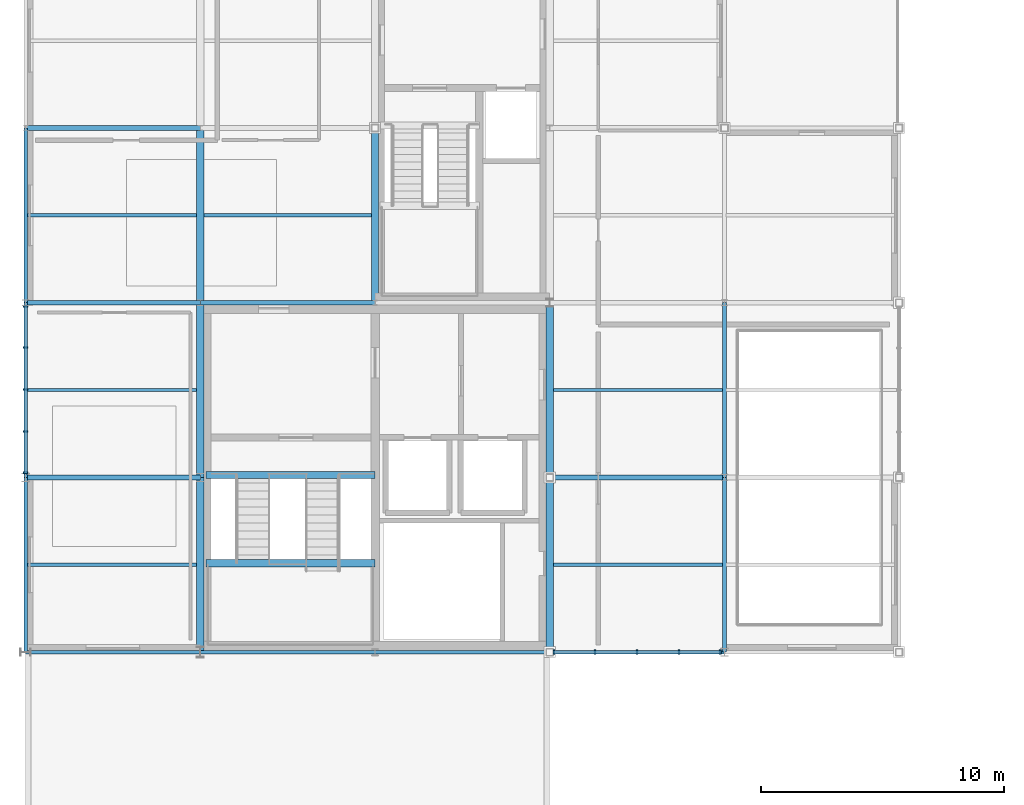
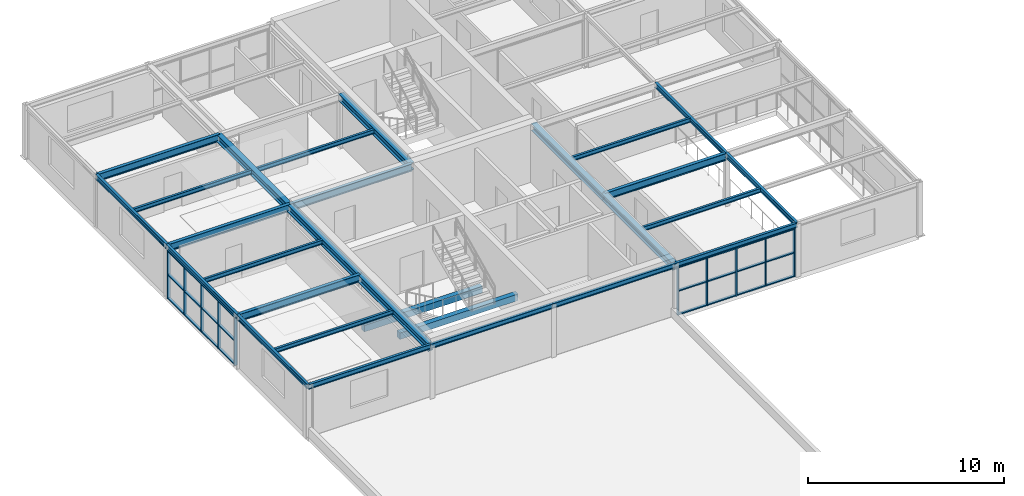
# One storey, part 7 of 22: 28 beams, 16 members, 2 elements without a shape of their own.
"""IFC4 building model written with IfcOpenShell, lengths in metres."""

from ifc_helpers import new_model, si_unit, direction, frame, origin, origin_2d, place, context, subcontext, project, spatial, rectangle, i_section, extrude, material, material_profile, profile_set, type_object, element, aggregate, save


model = new_model("IFC4")

# Units and contexts
model_context = context("Model", 3, precision=1e-05, world=origin(), true_north=direction((0.0, 1.0)))
body_context = subcontext(model_context, "Body", "Model", "MODEL_VIEW")
ifc_project = project(units=[si_unit("LENGTHUNIT", "METRE"), si_unit("AREAUNIT", "SQUARE_METRE"), si_unit("VOLUMEUNIT", "CUBIC_METRE"), si_unit("PLANEANGLEUNIT", "RADIAN"), si_unit("MASSUNIT", "GRAM", prefix="KILO")], contexts=[model_context])

# Site, building, storey
site_placement = place(None, origin())
site = spatial("IfcSite", under=ifc_project, at=site_placement, CompositionType="ELEMENT")
building_placement = place(site_placement, origin())
building = spatial("IfcBuilding", under=site, at=building_placement, Name="Leyfeld Transit Interchange", CompositionType="ELEMENT")
storey_placement = place(building_placement, frame((0.0, 0.0, 18.0)))
storey = spatial("IfcBuildingStorey", under=building, at=storey_placement, Name="L04", CompositionType="ELEMENT", Elevation=18.0)

# Beams
ifc_material_1 = material(Name="Concrete C35/45", Category="concrete")
ifc_material_profile_1 = material_profile(ifc_material_1, rectangle(XDim=0.300048828125, YDim=0.39990234375, at=origin_2d()), Name="RC 400x300")
ifc_profile_set_1 = profile_set([ifc_material_profile_1], Name="Concrete C35/45")
beam_type_1 = type_object("IfcBeamType", Name="BM-RC-400x300", PredefinedType="LINTEL", material=ifc_profile_set_1)
for number, where, z_axis, x_axis, name in (
    (1, (7.425048828125, 100.89990234375, -0.199951171875), (1.0, 0.0, 0.0), (0.0, 1.0, 0.0), "Core K1 Floor Landing Corbel L04"),
    (2, (7.425048828125, 97.27001953125, 1.528076171875), (1.0, 0.0, 0.0), (0.0, 1.0, 0.0), "Stair ST-01 L04 Half-Landing Corbel"),
):
    element("IfcBeam", number, at=place(storey_placement, frame(where, z_axis=z_axis, x_axis=x_axis)), inside=storey, type_object=beam_type_1, Name=name, PredefinedType="LINTEL", context=body_context, shape_type="SweptSolid", body=[
        extrude(rectangle(XDim=0.300048828125, YDim=0.39990234375, at=origin_2d()), origin(), (0.0, 0.0, 1.0), 6.974853515625),
    ])
ifc_material_2 = material(Name="Steel S355J2", Category="steel")
ifc_material_profile_2 = material_profile(ifc_material_2, i_section(OverallWidth=0.300048828125, OverallDepth=0.449951171875, WebThickness=0.013916015625, FlangeThickness=0.02587890625, FilletRadius=0.027099609375, at=origin_2d()), Name="HEB 450")
ifc_profile_set_2 = profile_set([ifc_material_profile_2], Name="Steel S355J2")
beam_type_2 = type_object("IfcBeamType", Name="BM-STL-HEB450", PredefinedType="JOIST", material=ifc_profile_set_2)
for number, where, z_axis, x_axis, name in (
    (3, (7.199951171875, 93.60009765625, 3.074951171875), (0.0, 1.0, 0.0), (-1.0, 0.0, 0.0), "Beam BM-L04-0072_0936-0072_1008"),
    (4, (7.199951171875, 100.800048828125, 3.074951171875), (0.0, 1.0, 0.0), (-1.0, 0.0, 0.0), "Beam BM-L04-0072_1008-0072_1080"),
    (5, (7.199951171875, 108.0, 3.074951171875), (0.0, 1.0, 0.0), (-1.0, 0.0, 0.0), "Beam BM-L04-0072_1080-0072_1152"),
    (6, (14.39990234375, 108.0, 3.074951171875), (0.0, 1.0, 0.0), (-1.0, 0.0, 0.0), "Beam BM-L04-0144_1080-0144_1152"),
    (7, (21.60009765625, 93.60009765625, 3.074951171875), (0.0, 1.0, 0.0), (-1.0, 0.0, 0.0), "Beam BM-L04-0216_0936-0216_1008"),
    (8, (21.60009765625, 100.800048828125, 3.074951171875), (0.0, 1.0, 0.0), (-1.0, 0.0, 0.0), "Beam BM-L04-0216_1008-0216_1080"),
):
    element("IfcBeam", number, at=place(storey_placement, frame(where, z_axis=z_axis, x_axis=x_axis)), inside=storey, type_object=beam_type_2, Name=name, PredefinedType="JOIST", context=body_context, shape_type="SweptSolid", body=[
        extrude(i_section(OverallWidth=0.300048828125, OverallDepth=0.449951171875, WebThickness=0.013916015625, FlangeThickness=0.02587890625, FilletRadius=0.027099609375, at=origin_2d()), origin(), (0.0, 0.0, 1.0), 7.199951171875),
    ])
ifc_material_profile_3 = material_profile(ifc_material_2, i_section(OverallWidth=0.135009765625, OverallDepth=0.27001953125, WebThickness=0.006591796875, FlangeThickness=0.01025390625, FilletRadius=0.014892578125, at=origin_2d()), Name="IPE 270")
ifc_profile_set_3 = profile_set([ifc_material_profile_3], Name="Steel S355J2")
beam_type_3 = type_object("IfcBeamType", Name="BM-STL-IPE270", PredefinedType="BEAM", material=ifc_profile_set_3)
for number, where, z_axis, x_axis, name in (
    (9, (0.072021484375, 97.199951171875, 3.1650390625), (1.0, 0.0, 0.0), (0.0, 1.0, 0.0), "Beam BM-L04-0001_0972-0071_0972"),
    (10, (21.7470703125, 97.199951171875, 3.1650390625), (1.0, 0.0, 0.0), (0.0, 1.0, 0.0), "Beam BM-L04-0217_0972-0287_0972"),
    (11, (0.072021484375, 104.39990234375, 3.1650390625), (1.0, 0.0, 0.0), (0.0, 1.0, 0.0), "Beam BM-L04-0001_1044-0071_1044"),
    (12, (21.7470703125, 104.39990234375, 3.1650390625), (1.0, 0.0, 0.0), (0.0, 1.0, 0.0), "Beam BM-L04-0217_1044-0287_1044"),
    (13, (0.072021484375, 111.60009765625, 3.1650390625), (1.0, 0.0, 0.0), (0.0, 1.0, 0.0), "Beam BM-L04-0001_1116-0071_1116"),
):
    element("IfcBeam", number, at=place(storey_placement, frame(where, z_axis=z_axis, x_axis=x_axis)), inside=storey, type_object=beam_type_3, Name=name, PredefinedType="BEAM", context=body_context, shape_type="SweptSolid", body=[
        extrude(i_section(OverallWidth=0.135009765625, OverallDepth=0.27001953125, WebThickness=0.006591796875, FlangeThickness=0.01025390625, FilletRadius=0.014892578125, at=origin_2d()), origin(), (0.0, 0.0, 1.0), 6.98095703125),
    ])
beam_1_placement = place(storey_placement, frame((7.346923828125, 111.60009765625, 3.1650390625), z_axis=(1.0, 0.0, 0.0), x_axis=(0.0, 1.0, 0.0)))
element("IfcBeam", 14, at=beam_1_placement, inside=storey, type_object=beam_type_3, Name="Beam BM-L04-0073_1116-0143_1116", PredefinedType="BEAM", context=body_context, shape_type="SweptSolid", body=[
    extrude(i_section(OverallWidth=0.135009765625, OverallDepth=0.27001953125, WebThickness=0.006591796875, FlangeThickness=0.01025390625, FilletRadius=0.014892578125, at=origin_2d()), origin(), (0.0, 0.0, 1.0), 6.906005859375),
])
ifc_material_profile_4 = material_profile(ifc_material_2, i_section(OverallWidth=0.14990234375, OverallDepth=0.300048828125, WebThickness=0.007080078125, FlangeThickness=0.0107421875, FilletRadius=0.014892578125, at=origin_2d()), Name="IPE 300")
ifc_profile_set_4 = profile_set([ifc_material_profile_4], Name="Steel S355J2")
beam_type_4 = type_object("IfcBeamType", Name="BM-STL-IPE300", PredefinedType="SPANDREL", material=ifc_profile_set_4)
for number, where, z_axis, x_axis, name in (
    (15, (0.0, 93.60009765625, 3.14990234375), (0.0, 1.0, 0.0), (-1.0, 0.0, 0.0), "Beam BM-L04-0000_0936-0000_1008"),
    (16, (0.0, 100.800048828125, 3.14990234375), (0.0, 1.0, 0.0), (-1.0, 0.0, 0.0), "Beam BM-L04-0000_1008-0000_1080"),
    (17, (0.0, 108.0, 3.14990234375), (0.0, 1.0, 0.0), (-1.0, 0.0, 0.0), "Beam BM-L04-0000_1080-0000_1152"),
    (18, (28.800048828125, 93.60009765625, 3.14990234375), (0.0, 1.0, 0.0), (-1.0, 0.0, 0.0), "Beam BM-L04-0288_0936-0288_1008"),
    (19, (28.800048828125, 100.800048828125, 3.14990234375), (0.0, 1.0, 0.0), (-1.0, 0.0, 0.0), "Beam BM-L04-0288_1008-0288_1080"),
    (20, (0.0, 93.60009765625, 3.14990234375), (1.0, 0.0, 0.0), (0.0, 1.0, 0.0), "Beam BM-L04-0000_0936-0072_0936"),
    (21, (7.199951171875, 93.60009765625, 3.14990234375), (1.0, 0.0, 0.0), (0.0, 1.0, 0.0), "Beam BM-L04-0072_0936-0144_0936"),
):
    element("IfcBeam", number, at=place(storey_placement, frame(where, z_axis=z_axis, x_axis=x_axis)), inside=storey, type_object=beam_type_4, Name=name, PredefinedType="SPANDREL", context=body_context, shape_type="SweptSolid", body=[
        extrude(i_section(OverallWidth=0.14990234375, OverallDepth=0.300048828125, WebThickness=0.007080078125, FlangeThickness=0.0107421875, FilletRadius=0.014892578125, at=origin_2d()), origin(), (0.0, 0.0, 1.0), 7.199951171875),
    ])
beam_2_placement = place(storey_placement, frame((14.39990234375, 93.60009765625, 3.14990234375), z_axis=(1.0, 0.0, 0.0), x_axis=(0.0, 1.0, 0.0)))
element("IfcBeam", 22, at=beam_2_placement, inside=storey, type_object=beam_type_4, Name="Beam BM-L04-0144_0936-0216_0936", PredefinedType="SPANDREL", context=body_context, shape_type="SweptSolid", body=[
    extrude(i_section(OverallWidth=0.14990234375, OverallDepth=0.300048828125, WebThickness=0.007080078125, FlangeThickness=0.0107421875, FilletRadius=0.014892578125, at=origin_2d()), origin(), (0.0, 0.0, 1.0), 7.2001953125),
])
beam_3_placement = place(storey_placement, frame((21.60009765625, 93.60009765625, 3.14990234375), z_axis=(1.0, 0.0, 0.0), x_axis=(0.0, 1.0, 0.0)))
element("IfcBeam", 23, at=beam_3_placement, inside=storey, type_object=beam_type_4, Name="Beam BM-L04-0216_0936-0288_0936", PredefinedType="SPANDREL", context=body_context, shape_type="SweptSolid", body=[
    extrude(i_section(OverallWidth=0.14990234375, OverallDepth=0.300048828125, WebThickness=0.007080078125, FlangeThickness=0.0107421875, FilletRadius=0.014892578125, at=origin_2d()), origin(), (0.0, 0.0, 1.0), 7.199951171875),
])
ifc_material_profile_5 = material_profile(ifc_material_2, i_section(OverallWidth=0.18994140625, OverallDepth=0.449951171875, WebThickness=0.009521484375, FlangeThickness=0.0146484375, FilletRadius=0.02099609375, at=origin_2d()), Name="IPE 450")
ifc_profile_set_5 = profile_set([ifc_material_profile_5], Name="Steel S355J2")
beam_type_5 = type_object("IfcBeamType", Name="BM-STL-IPE450", PredefinedType="BEAM", material=ifc_profile_set_5)
for number, where, z_axis, x_axis, name in (
    (24, (0.0, 100.800048828125, 3.074951171875), (1.0, 0.0, 0.0), (0.0, 1.0, 0.0), "Beam BM-L04-0000_1008-0072_1008"),
    (25, (21.60009765625, 100.800048828125, 3.074951171875), (1.0, 0.0, 0.0), (0.0, 1.0, 0.0), "Beam BM-L04-0216_1008-0288_1008"),
    (26, (0.0, 108.0, 3.074951171875), (1.0, 0.0, 0.0), (0.0, 1.0, 0.0), "Beam BM-L04-0000_1080-0072_1080"),
    (27, (7.199951171875, 108.0, 3.074951171875), (1.0, 0.0, 0.0), (0.0, 1.0, 0.0), "Beam BM-L04-0072_1080-0144_1080"),
    (28, (0.0, 115.199951171875, 3.074951171875), (1.0, 0.0, 0.0), (0.0, 1.0, 0.0), "Beam BM-L04-0000_1152-0072_1152"),
):
    element("IfcBeam", number, at=place(storey_placement, frame(where, z_axis=z_axis, x_axis=x_axis)), inside=storey, type_object=beam_type_5, Name=name, PredefinedType="BEAM", context=body_context, shape_type="SweptSolid", body=[
        extrude(i_section(OverallWidth=0.18994140625, OverallDepth=0.449951171875, WebThickness=0.009521484375, FlangeThickness=0.0146484375, FilletRadius=0.02099609375, at=origin_2d()), origin(), (0.0, 0.0, 1.0), 7.199951171875),
    ])

# Curtain wall, members
ifc_material_3 = material(Name="Anodised aluminium EN AW-6060 T66", Category="aluminium")
curtain_wall_type = type_object("IfcCurtainWallType", Name="CW-SYS-OPS-7200", PredefinedType="NOTDEFINED", material=ifc_material_3)
curtain_wall_1_placement = place(storey_placement, origin())
curtain_wall_1 = element("IfcCurtainWall", 29, at=curtain_wall_1_placement, inside=storey, type_object=curtain_wall_type, Name="Curtain Wall CW-L04-135", PredefinedType="NOTDEFINED")
ifc_material_profile_6 = material_profile(ifc_material_3, rectangle(XDim=0.06494140625, YDim=0.179931640625, at=origin_2d()), Name="CW-M 65x180")
ifc_profile_set_6 = profile_set([ifc_material_profile_6], Name="Anodised aluminium EN AW-6060 T66")
member_type_1 = type_object("IfcMemberType", Name="CW-MUL-150x65", PredefinedType="MULLION", material=ifc_profile_set_6)
member_1_placement = place(storey_placement, frame((28.62744140625, 93.60009765625, 0.0), z_axis=(0.0, 0.0, 1.0), x_axis=(-1.0, 0.0, 0.0)))
member_1 = element("IfcMember", 30, at=member_1_placement, type_object=member_type_1, Name="Curtain Mullion CW-L04-135-M01", PredefinedType="MULLION", context=body_context, shape_type="SweptSolid", body=[
    extrude(rectangle(XDim=0.06494140625, YDim=0.179931640625, at=origin_2d()), origin(), (0.0, 0.0, 1.0), 3.0),
])
member_2_placement = place(storey_placement, frame((26.929931640625, 93.60009765625, 0.0), z_axis=(0.0, 0.0, 1.0), x_axis=(-1.0, 0.0, 0.0)))
member_2 = element("IfcMember", 31, at=member_2_placement, type_object=member_type_1, Name="Curtain Mullion CW-L04-135-M02", PredefinedType="MULLION", context=body_context, shape_type="SweptSolid", body=[
    extrude(rectangle(XDim=0.06494140625, YDim=0.179931640625, at=origin_2d()), origin(), (0.0, 0.0, 1.0), 3.0),
])
member_3_placement = place(storey_placement, frame((25.199951171875, 93.60009765625, 0.0), z_axis=(0.0, 0.0, 1.0), x_axis=(-1.0, 0.0, 0.0)))
member_3 = element("IfcMember", 32, at=member_3_placement, type_object=member_type_1, Name="Curtain Mullion CW-L04-135-M03", PredefinedType="MULLION", context=body_context, shape_type="SweptSolid", body=[
    extrude(rectangle(XDim=0.06494140625, YDim=0.179931640625, at=origin_2d()), origin(), (0.0, 0.0, 1.0), 3.0),
])
member_4_placement = place(storey_placement, frame((23.469970703125, 93.60009765625, 0.0), z_axis=(0.0, 0.0, 1.0), x_axis=(-1.0, 0.0, 0.0)))
member_4 = element("IfcMember", 33, at=member_4_placement, type_object=member_type_1, Name="Curtain Mullion CW-L04-135-M04", PredefinedType="MULLION", context=body_context, shape_type="SweptSolid", body=[
    extrude(rectangle(XDim=0.06494140625, YDim=0.179931640625, at=origin_2d()), origin(), (0.0, 0.0, 1.0), 3.0),
])
member_5_placement = place(storey_placement, frame((21.7724609375, 93.60009765625, 0.0), z_axis=(0.0, 0.0, 1.0), x_axis=(-1.0, 0.0, 0.0)))
member_5 = element("IfcMember", 34, at=member_5_placement, type_object=member_type_1, Name="Curtain Mullion CW-L04-135-M05", PredefinedType="MULLION", context=body_context, shape_type="SweptSolid", body=[
    extrude(rectangle(XDim=0.06494140625, YDim=0.179931640625, at=origin_2d()), origin(), (0.0, 0.0, 1.0), 3.0),
])

curtain_wall_2_placement = place(storey_placement, origin())
curtain_wall_2 = element("IfcCurtainWall", 35, at=curtain_wall_2_placement, inside=storey, type_object=curtain_wall_type, Name="Curtain Wall CW-L04-136", PredefinedType="NOTDEFINED")
member_6_placement = place(storey_placement, frame((0.0, 100.992431640625, 0.0), z_axis=(0.0, 0.0, 1.0), x_axis=(0.0, 1.0, 0.0)))
member_6 = element("IfcMember", 36, at=member_6_placement, type_object=member_type_1, Name="Curtain Mullion CW-L04-136-M01", PredefinedType="MULLION", context=body_context, shape_type="SweptSolid", body=[
    extrude(rectangle(XDim=0.06494140625, YDim=0.179931640625, at=origin_2d()), origin(), (0.0, 0.0, 1.0), 3.0),
])
member_7_placement = place(storey_placement, frame((0.0, 102.69140625, 0.0), z_axis=(0.0, 0.0, 1.0), x_axis=(0.0, 1.0, 0.0)))
member_7 = element("IfcMember", 37, at=member_7_placement, type_object=member_type_1, Name="Curtain Mullion CW-L04-136-M02", PredefinedType="MULLION", context=body_context, shape_type="SweptSolid", body=[
    extrude(rectangle(XDim=0.06494140625, YDim=0.179931640625, at=origin_2d()), origin(), (0.0, 0.0, 1.0), 3.0),
])
member_8_placement = place(storey_placement, frame((0.0, 104.422607421875, 0.0), z_axis=(0.0, 0.0, 1.0), x_axis=(0.0, 1.0, 0.0)))
member_8 = element("IfcMember", 38, at=member_8_placement, type_object=member_type_1, Name="Curtain Mullion CW-L04-136-M03", PredefinedType="MULLION", context=body_context, shape_type="SweptSolid", body=[
    extrude(rectangle(XDim=0.06494140625, YDim=0.179931640625, at=origin_2d()), origin(), (0.0, 0.0, 1.0), 3.0),
])
member_9_placement = place(storey_placement, frame((0.0, 106.15380859375, 0.0), z_axis=(0.0, 0.0, 1.0), x_axis=(0.0, 1.0, 0.0)))
member_9 = element("IfcMember", 39, at=member_9_placement, type_object=member_type_1, Name="Curtain Mullion CW-L04-136-M04", PredefinedType="MULLION", context=body_context, shape_type="SweptSolid", body=[
    extrude(rectangle(XDim=0.06494140625, YDim=0.179931640625, at=origin_2d()), origin(), (0.0, 0.0, 1.0), 3.0),
])
member_10_placement = place(storey_placement, frame((0.0, 107.8525390625, 0.0), z_axis=(0.0, 0.0, 1.0), x_axis=(0.0, 1.0, 0.0)))
member_10 = element("IfcMember", 40, at=member_10_placement, type_object=member_type_1, Name="Curtain Mullion CW-L04-136-M05", PredefinedType="MULLION", context=body_context, shape_type="SweptSolid", body=[
    extrude(rectangle(XDim=0.06494140625, YDim=0.179931640625, at=origin_2d()), origin(), (0.0, 0.0, 1.0), 3.0),
])

# Member
ifc_material_profile_7 = material_profile(ifc_material_3, rectangle(XDim=0.14990234375, YDim=0.06494140625, at=origin_2d()), Name="CW-TRN-135x65")
ifc_profile_set_7 = profile_set([ifc_material_profile_7], Name="Anodised aluminium EN AW-6060 T66")
member_type_2 = type_object("IfcMemberType", Name="CW-TRN-135x65", PredefinedType="USERDEFINED", material=ifc_profile_set_7)
member_11_placement = place(storey_placement, frame((28.659912109375, 93.60009765625, 0.032470703125), z_axis=(-1.0, 0.0, 0.0), x_axis=(0.0, -1.0, 0.0)))
member_11 = element("IfcMember", 41, at=member_11_placement, type_object=member_type_2, Name="Curtain Transom CW-L04-135-T01", ObjectType="TRANSOM", PredefinedType="USERDEFINED", context=body_context, shape_type="SweptSolid", body=[
    extrude(rectangle(XDim=0.14990234375, YDim=0.06494140625, at=origin_2d()), origin(), (0.0, 0.0, 1.0), 6.919921875),
])

member_12_placement = place(storey_placement, frame((28.659912109375, 93.60009765625, 1.5), z_axis=(-1.0, 0.0, 0.0), x_axis=(0.0, -1.0, 0.0)))
member_12 = element("IfcMember", 42, at=member_12_placement, type_object=member_type_2, Name="Curtain Transom CW-L04-135-T02", ObjectType="TRANSOM", PredefinedType="USERDEFINED", context=body_context, shape_type="SweptSolid", body=[
    extrude(rectangle(XDim=0.14990234375, YDim=0.06494140625, at=origin_2d()), origin(), (0.0, 0.0, 1.0), 6.919921875),
])

member_13_placement = place(storey_placement, frame((28.659912109375, 93.60009765625, 2.967529296875), z_axis=(-1.0, 0.0, 0.0), x_axis=(0.0, -1.0, 0.0)))
member_13 = element("IfcMember", 43, at=member_13_placement, type_object=member_type_2, Name="Curtain Transom CW-L04-135-T03", ObjectType="TRANSOM", PredefinedType="USERDEFINED", context=body_context, shape_type="SweptSolid", body=[
    extrude(rectangle(XDim=0.14990234375, YDim=0.06494140625, at=origin_2d()), origin(), (0.0, 0.0, 1.0), 6.919921875),
])

aggregate(curtain_wall_1, [member_1, member_2, member_3, member_4, member_5, member_11, member_12, member_13])

member_14_placement = place(storey_placement, frame((0.0, 100.9599609375, 0.032470703125), z_axis=(0.0, 1.0, 0.0), x_axis=(-1.0, 0.0, 0.0)))
member_14 = element("IfcMember", 44, at=member_14_placement, type_object=member_type_2, Name="Curtain Transom CW-L04-136-T01", ObjectType="TRANSOM", PredefinedType="USERDEFINED", context=body_context, shape_type="SweptSolid", body=[
    extrude(rectangle(XDim=0.14990234375, YDim=0.06494140625, at=origin_2d()), origin(), (0.0, 0.0, 1.0), 6.925048828125),
])

member_15_placement = place(storey_placement, frame((0.0, 100.9599609375, 1.5), z_axis=(0.0, 1.0, 0.0), x_axis=(-1.0, 0.0, 0.0)))
member_15 = element("IfcMember", 45, at=member_15_placement, type_object=member_type_2, Name="Curtain Transom CW-L04-136-T02", ObjectType="TRANSOM", PredefinedType="USERDEFINED", context=body_context, shape_type="SweptSolid", body=[
    extrude(rectangle(XDim=0.14990234375, YDim=0.06494140625, at=origin_2d()), origin(), (0.0, 0.0, 1.0), 6.925048828125),
])

member_16_placement = place(storey_placement, frame((0.0, 100.9599609375, 2.967529296875), z_axis=(0.0, 1.0, 0.0), x_axis=(-1.0, 0.0, 0.0)))
member_16 = element("IfcMember", 46, at=member_16_placement, type_object=member_type_2, Name="Curtain Transom CW-L04-136-T03", ObjectType="TRANSOM", PredefinedType="USERDEFINED", context=body_context, shape_type="SweptSolid", body=[
    extrude(rectangle(XDim=0.14990234375, YDim=0.06494140625, at=origin_2d()), origin(), (0.0, 0.0, 1.0), 6.925048828125),
])

aggregate(curtain_wall_2, [member_6, member_7, member_8, member_9, member_10, member_14, member_15, member_16])

save(model, "model.ifc")
